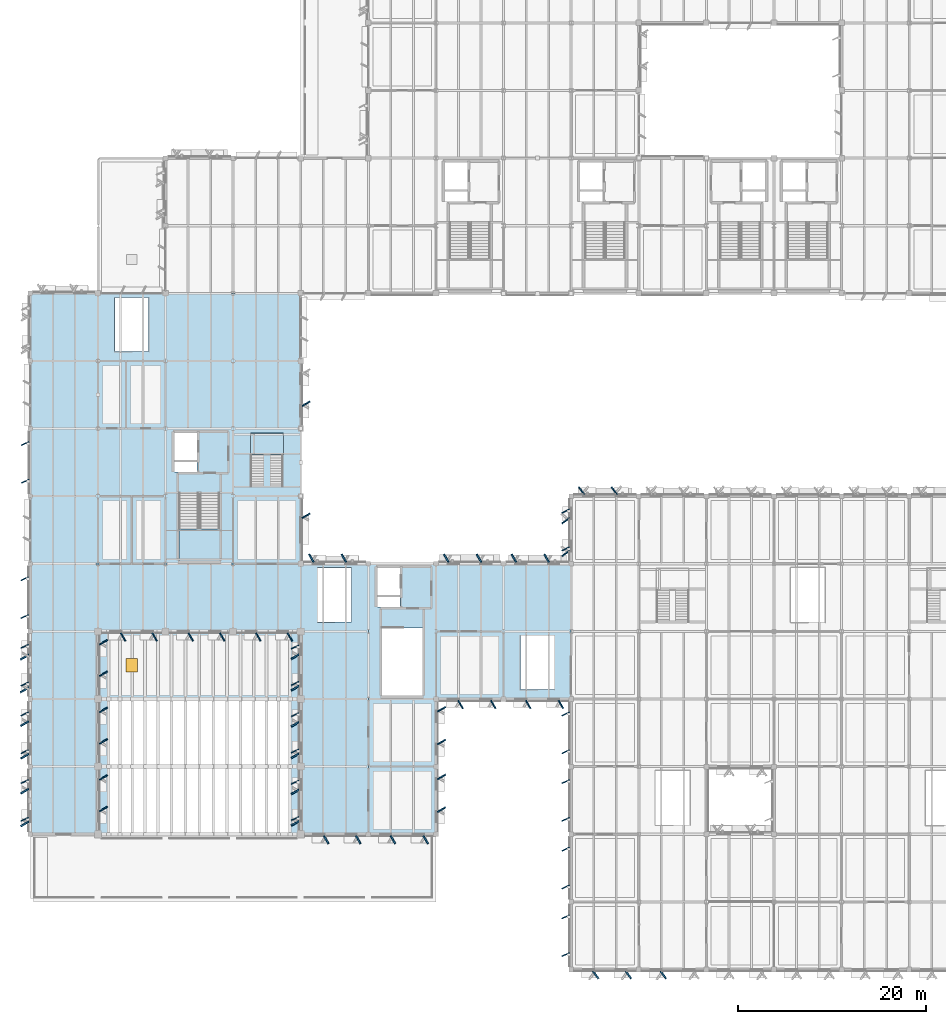
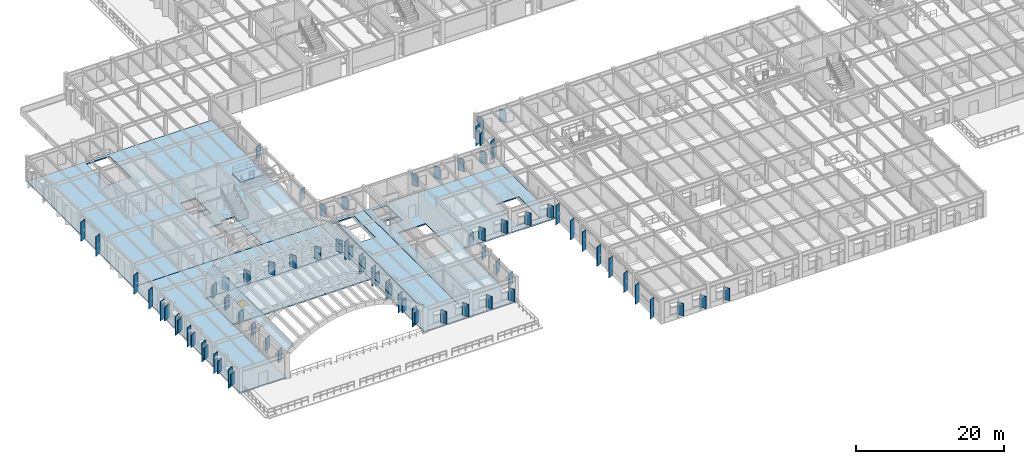
# One storey, part 24 of 85: 77 plates, 8 slabs, 1 door, 1 opening, 2 elements without a shape of their own.
"""IFC4 building model written with IfcOpenShell, lengths in metres."""

import ifcopenshell
import ifcopenshell.guid

model = None  # the IFC model being written
_history = None  # IfcOwnerHistory: only IFC2X3 demands one
_inside = {}  # id of a spatial element -> (the spatial element, [elements in it])
_under = {}  # id of a project, library or spatial element -> (it, [spatial elements below it])
_declared = {}  # id of a project -> (the project, [libraries it declares])
_typed = {}  # id of a type object -> (the type object, [elements of that type])
_made_of = {}  # id of a material, layer set ... -> (it, [elements and type objects made of it])


def new_model(schema):
    """Start an empty IFC model of exactly this schema.

    Asked for "IFC4X3", IfcOpenShell would pick the latest addendum, in which some entities
    have other attributes; the version numbers below select the first issue.
    IFC2X3 requires an IfcOwnerHistory on every rooted entity: one is made here for all.
    """
    global model, _history
    if schema == "IFC4X3":
        model = ifcopenshell.file(schema_version=(4, 3, 0, 0))
    else:
        model = ifcopenshell.file(schema=schema)
    _inside.clear()
    _under.clear()
    _declared.clear()
    _typed.clear()
    _made_of.clear()
    _history = None
    if model.schema == "IFC2X3":
        org = make("IfcOrganization", Name="unknown")
        user = make(
            "IfcPersonAndOrganization",
            ThePerson=make("IfcPerson", FamilyName="unknown"),
            TheOrganization=org,
        )
        app = make(
            "IfcApplication",
            ApplicationDeveloper=org,
            Version="unknown",
            ApplicationFullName="unknown",
            ApplicationIdentifier="unknown",
        )
        _history = make(
            "IfcOwnerHistory",
            OwningUser=user,
            OwningApplication=app,
            ChangeAction="ADDED",
            CreationDate=0,
        )
    return model


def make(cls, **values):
    """One entity of the class cls with the attributes given. An attribute that is None is left unset."""
    return model.create_entity(
        cls, **{name: value for name, value in values.items() if value is not None}
    )


def rooted(cls, **values):
    """An entity with a GlobalId (a new one), such as an element, a storey or a relation."""
    return make(cls, GlobalId=ifcopenshell.guid.new(), OwnerHistory=_history, **values)


def si_unit(unit_type, name, prefix=None):
    """IfcSIUnit, for example si_unit("LENGTHUNIT", "METRE", prefix="MILLI")."""
    return make("IfcSIUnit", UnitType=unit_type, Prefix=prefix, Name=name)


def assignment(units):
    """IfcUnitAssignment: the units of a project."""
    return None if units is None else make("IfcUnitAssignment", Units=units)


def point(xyz):
    """IfcCartesianPoint."""
    return None if xyz is None else make("IfcCartesianPoint", Coordinates=xyz)


def direction(xyz):
    """IfcDirection."""
    return None if xyz is None else make("IfcDirection", DirectionRatios=xyz)


def frame(location, z_axis=None, x_axis=None):
    """IfcAxis2Placement3D, a coordinate frame: its origin and axes. An axis left out is left unset."""
    return make(
        "IfcAxis2Placement3D",
        Location=point(location),
        Axis=direction(z_axis),
        RefDirection=direction(x_axis),
    )


def frame_2d(location, x_axis=None):
    """IfcAxis2Placement2D, a coordinate frame in the plane: its origin and x axis."""
    return make(
        "IfcAxis2Placement2D", Location=point(location), RefDirection=direction(x_axis)
    )


def origin():
    """The frame at (0, 0, 0) with its axes left unset."""
    return frame((0.0, 0.0, 0.0))


def origin_2d():
    """The frame at (0, 0) in the plane with its x axis left unset."""
    return frame_2d((0.0, 0.0))


def place(relative_to, where):
    """IfcLocalPlacement: puts the frame where relative to a parent placement (None: the world)."""
    return make(
        "IfcLocalPlacement", PlacementRelTo=relative_to, RelativePlacement=where
    )


def context(
    kind, dimensions, precision=None, world=None, true_north=None, identifier=None
):
    """IfcGeometricRepresentationContext, for example the 3D "Model" context."""
    return make(
        "IfcGeometricRepresentationContext",
        ContextIdentifier=identifier,
        ContextType=kind,
        CoordinateSpaceDimension=dimensions,
        Precision=precision,
        WorldCoordinateSystem=world,
        TrueNorth=true_north,
    )


def subcontext(parent, identifier, kind, view, scale=None):
    """IfcGeometricRepresentationSubContext, for example "Body" below "Model"."""
    return make(
        "IfcGeometricRepresentationSubContext",
        ContextIdentifier=identifier,
        ContextType=kind,
        ParentContext=parent,
        TargetScale=scale,
        TargetView=view,
    )


def project(units=None, contexts=None):
    """IfcProject with its units and contexts."""
    return rooted(
        "IfcProject",
        Name="project",
        RepresentationContexts=contexts,
        UnitsInContext=assignment(units),
    )


def spatial(cls, under=None, at=None, **own):
    """A site, building, storey or space (cls), placed at a placement, below another one or the project."""
    s = rooted(cls, ObjectPlacement=at, **own)
    if under is not None:
        _under.setdefault(under.id(), (under, []))[1].append(s)
    return s


def polyline(points):
    """IfcPolyline through the points."""
    return make("IfcPolyline", Points=[point(p) for p in points])


def profile(cls, at=None, kind="AREA", **sizes):
    """A parametric profile (cls). Its sizes go by their IFC names, for example OverallWidth=200.0."""
    return make(cls, ProfileType=kind, Position=at, **sizes)


def rectangle(**sizes):
    """IfcRectangleProfileDef."""
    return profile("IfcRectangleProfileDef", **sizes)


def outline(outer, holes=None, kind="AREA"):
    """IfcArbitraryClosedProfileDef: a profile drawn as a closed curve; with holes, ...WithVoids."""
    if holes is None:
        return make("IfcArbitraryClosedProfileDef", ProfileType=kind, OuterCurve=outer)
    return make(
        "IfcArbitraryProfileDefWithVoids",
        ProfileType=kind,
        OuterCurve=outer,
        InnerCurves=holes,
    )


def extrude(swept, where, along, depth):
    """IfcExtrudedAreaSolid: the profile swept, set in the frame where, extruded along a direction by depth."""
    return make(
        "IfcExtrudedAreaSolid",
        SweptArea=swept,
        Position=where,
        ExtrudedDirection=direction(along),
        Depth=depth,
    )


def shape(context_of_items, identifier, shape_type, items):
    """IfcShapeRepresentation: the items that make up one representation, for example the "Body"."""
    return make(
        "IfcShapeRepresentation",
        ContextOfItems=context_of_items,
        RepresentationIdentifier=identifier,
        RepresentationType=shape_type,
        Items=items,
    )


def material(Name=None, Category=None):
    """IfcMaterial."""
    return make("IfcMaterial", Name=Name, Category=Category)


def layer(
    of_material, thickness, ventilated=None, Name=None, Category=None, Priority=None
):
    """IfcMaterialLayer: one layer of a wall or slab, of a material (None: an air gap)."""
    return make(
        "IfcMaterialLayer",
        Material=of_material,
        LayerThickness=thickness,
        IsVentilated=ventilated,
        Name=Name,
        Category=Category,
        Priority=Priority,
    )


def layer_set(layers, Name=None):
    """IfcMaterialLayerSet."""
    return make("IfcMaterialLayerSet", MaterialLayers=layers, LayerSetName=Name)


def made_of(thing, what):
    """Note that an element or type object is made of a material, layer set ...; save() writes the relation."""
    if what is not None:
        _made_of.setdefault(what.id(), (what, []))[1].append(thing)
    return thing


def type_object(cls, material=None, **own):
    """A type object (cls), such as IfcWallType, which elements share."""
    return made_of(rooted(cls, **own), material)


def element(
    cls,
    number,
    at=None,
    inside=None,
    cuts=None,
    type_object=None,
    material=None,
    context=None,
    identifier="Body",
    shape_type=None,
    held_by="IfcProductDefinitionShape",
    body=None,
    shapes=None,
    **own,
):
    """One element of the class cls, such as IfcWall. Its Tag is "e" and its number.

    at: its placement. inside: the storey or other place that contains it. cuts: it is an
    opening in that element (IfcRelVoidsElement). A single representation is given by context,
    identifier, shape_type and body (its items); several are given by shapes. held_by: the class
    of the entity that holds the representations. save() writes the other relations.
    """
    e = rooted(cls, Tag="e%d" % number, ObjectPlacement=at, **own)
    if body is not None:
        shapes = [shape(context, identifier, shape_type, body)]
    if shapes is not None:
        e.Representation = make(held_by, Representations=shapes)
    if inside is not None:
        _inside.setdefault(inside.id(), (inside, []))[1].append(e)
    if cuts is not None:
        rooted(
            "IfcRelVoidsElement", RelatingBuildingElement=cuts, RelatedOpeningElement=e
        )
    if type_object is not None:
        _typed.setdefault(type_object.id(), (type_object, []))[1].append(e)
    return made_of(e, material)


def fill(opening, filler):
    """IfcRelFillsElement: the door or window that sits in an opening."""
    return rooted(
        "IfcRelFillsElement",
        RelatingOpeningElement=opening,
        RelatedBuildingElement=filler,
    )


def aggregate(whole, parts):
    """IfcRelAggregates: a whole, such as a stair, and the parts it consists of."""
    return rooted("IfcRelAggregates", RelatingObject=whole, RelatedObjects=parts)


def save(model, path):
    """Write the relations noted so far, then the file.

    IfcRelAggregates (storeys below a building ...), IfcRelContainedInSpatialStructure (elements
    in a storey), IfcRelDefinesByType, IfcRelAssociatesMaterial and IfcRelDeclares: one each for
    every whole, place, type object, material and project.
    """
    for whole, parts in _under.values():
        aggregate(whole, parts)
    for where, things in _inside.values():
        rooted(
            "IfcRelContainedInSpatialStructure",
            RelatedElements=things,
            RelatingStructure=where,
        )
    for kind, things in _typed.values():
        rooted("IfcRelDefinesByType", RelatedObjects=things, RelatingType=kind)
    for what, things in _made_of.values():
        rooted("IfcRelAssociatesMaterial", RelatedObjects=things, RelatingMaterial=what)
    for by, libraries in _declared.values():
        rooted("IfcRelDeclares", RelatingContext=by, RelatedDefinitions=libraries)
    model.write(path)


model = new_model("IFC4")

# Units and contexts
model_context = context("Model", 3, precision=1e-05, world=origin(), true_north=direction((0.0, 1.0)))
body_context = subcontext(model_context, "Body", "Model", "MODEL_VIEW")
ifc_project = project(units=[si_unit("LENGTHUNIT", "METRE"), si_unit("AREAUNIT", "SQUARE_METRE"), si_unit("VOLUMEUNIT", "CUBIC_METRE"), si_unit("PLANEANGLEUNIT", "RADIAN"), si_unit("MASSUNIT", "GRAM", prefix="KILO")], contexts=[model_context])

# Site, building, storey
site_placement = place(None, origin())
site = spatial("IfcSite", under=ifc_project, at=site_placement, CompositionType="ELEMENT")
building_placement = place(site_placement, origin())
building = spatial("IfcBuilding", under=site, at=building_placement, Name="Sillqori Civic Hall", CompositionType="ELEMENT")
storey_placement = place(building_placement, frame((0.0, 0.0, 9.89990234375)))
storey = spatial("IfcBuildingStorey", under=building, at=storey_placement, Name="L03", CompositionType="ELEMENT", Elevation=9.89990234375)

# Plates
ifc_material_1 = material(Name="Precast concrete C40/50 (H40)", Category="concrete")
ifc_layer_1 = layer(ifc_material_1, 0.159912109375)
ifc_layer_set_1 = layer_set([ifc_layer_1], Name="Precast concrete C40/50 (H40)")
plate_type_1 = type_object("IfcPlateType", Name="FIN-WEST-350", PredefinedType="USERDEFINED", material=ifc_layer_set_1)
for number, where, z_axis, x_axis, name in (
    (1, (6.60498046875, 23.18994140625, 0.150146484375), (0.0, 0.0, 1.0), (-0.422618261741, 0.906307787037, 0.0), "L03 west brise-soleil fin L03-01-03-W.1"),
    (2, (6.60498046875, 27.2099609375, 0.150146484375), (0.0, 0.0, 1.0), (-0.422618261741, 0.906307787037, 0.0), "L03 west brise-soleil fin L03-01-03-W.2"),
    (3, (6.60498046875, 30.389892578125, 0.150146484375), (0.0, 0.0, 1.0), (-0.422618261741, 0.906307787037, 0.0), "L03 west brise-soleil fin L03-01-04-W.1"),
    (4, (6.60498046875, 34.409912109375, 0.150146484375), (0.0, 0.0, 1.0), (-0.422618261741, 0.906307787037, 0.0), "L03 west brise-soleil fin L03-01-04-W.2"),
    (5, (6.60498046875, 37.590087890625, 0.150146484375), (0.0, 0.0, 1.0), (-0.422618261741, 0.906307787037, 0.0), "L03 west brise-soleil fin L03-01-05-W.1"),
    (6, (6.60498046875, 41.610107421875, 0.150146484375), (0.0, 0.0, 1.0), (-0.422618261741, 0.906307787037, 0.0), "L03 west brise-soleil fin L03-01-05-W.2"),
    (7, (6.60498046875, 44.7900390625, 0.150146484375), (0.0, 0.0, 1.0), (-0.422618261741, 0.906307787037, 0.0), "L03 west brise-soleil fin L03-01-06-W.1"),
    (8, (6.60498046875, 48.81005859375, 0.150146484375), (0.0, 0.0, 1.0), (-0.422618261741, 0.906307787037, 0.0), "L03 west brise-soleil fin L03-01-06-W.2"),
):
    element("IfcPlate", number, at=place(storey_placement, frame(where, z_axis=z_axis, x_axis=x_axis)), inside=storey, type_object=plate_type_1, Name=name, ObjectType="SOLAR_FIN", PredefinedType="USERDEFINED", context=body_context, shape_type="SweptSolid", body=[
        extrude(rectangle(XDim=0.090087890625, YDim=0.8798828125, at=origin_2d()), origin(), (0.0, 0.0, 1.0), 3.1669921875),
    ])
for number, where, z_axis, x_axis, name in (
    (9, (6.64501953125, 59.18994140625, 0.150146484375), (0.0, 0.0, 1.0), (-0.422618261741, 0.906307787037, 0.0), "L03 west brise-soleil fin L03-01-08-W.1"),
    (10, (6.64501953125, 63.2099609375, 0.150146484375), (0.0, 0.0, 1.0), (-0.422618261741, 0.906307787037, 0.0), "L03 west brise-soleil fin L03-01-08-W.2"),
):
    element("IfcPlate", number, at=place(storey_placement, frame(where, z_axis=z_axis, x_axis=x_axis)), inside=storey, type_object=plate_type_1, Name=name, ObjectType="SOLAR_FIN", PredefinedType="USERDEFINED", context=body_context, shape_type="SweptSolid", body=[
        extrude(rectangle(XDim=0.090087890625, YDim=0.8798828125, at=origin_2d()), origin(), (0.0, 0.0, 1.0), 3.18701171875),
    ])
for number, where, z_axis, x_axis, name in (
    (11, (35.405029296875, 23.264892578125, 0.14990234375), (0.0, 0.0, 1.0), (-0.422618261741, 0.906307787037, 0.0), "L03 west brise-soleil fin L03-05-03-W.1"),
    (12, (35.405029296875, 27.135009765625, 0.14990234375), (0.0, 0.0, 1.0), (-0.422618261741, 0.906307787037, 0.0), "L03 west brise-soleil fin L03-05-03-W.2"),
    (13, (35.405029296875, 30.465087890625, 0.14990234375), (0.0, 0.0, 1.0), (-0.422618261741, 0.906307787037, 0.0), "L03 west brise-soleil fin L03-05-04-W.1"),
    (14, (35.405029296875, 34.3349609375, 0.14990234375), (0.0, 0.0, 1.0), (-0.422618261741, 0.906307787037, 0.0), "L03 west brise-soleil fin L03-05-04-W.2"),
    (15, (35.405029296875, 37.6650390625, 0.14990234375), (0.0, 0.0, 1.0), (-0.422618261741, 0.906307787037, 0.0), "L03 west brise-soleil fin L03-05-05-W.1"),
    (16, (35.405029296875, 41.534912109375, 0.14990234375), (0.0, 0.0, 1.0), (-0.422618261741, 0.906307787037, 0.0), "L03 west brise-soleil fin L03-05-05-W.2"),
):
    element("IfcPlate", number, at=place(storey_placement, frame(where, z_axis=z_axis, x_axis=x_axis)), inside=storey, type_object=plate_type_1, Name=name, ObjectType="SOLAR_FIN", PredefinedType="USERDEFINED", context=body_context, shape_type="SweptSolid", body=[
        extrude(rectangle(XDim=0.090087890625, YDim=0.8798828125, at=origin_2d()), origin(), (0.0, 0.0, 1.0), 3.050048828125),
    ])
for number, where, z_axis, x_axis, name in (
    (17, (64.215087890625, 8.7900390625, 0.150146484375), (0.0, 0.0, 1.0), (-0.422618261741, 0.906307787037, 0.0), "L03 west brise-soleil fin L03-09-01-W.1"),
    (18, (64.215087890625, 12.81005859375, 0.150146484375), (0.0, 0.0, 1.0), (-0.422618261741, 0.906307787037, 0.0), "L03 west brise-soleil fin L03-09-01-W.2"),
    (19, (64.215087890625, 15.989990234375, 0.150146484375), (0.0, 0.0, 1.0), (-0.422618261741, 0.906307787037, 0.0), "L03 west brise-soleil fin L03-09-02-W.1"),
    (20, (64.215087890625, 20.010009765625, 0.150146484375), (0.0, 0.0, 1.0), (-0.422618261741, 0.906307787037, 0.0), "L03 west brise-soleil fin L03-09-02-W.2"),
    (21, (64.215087890625, 23.18994140625, 0.150146484375), (0.0, 0.0, 1.0), (-0.422618261741, 0.906307787037, 0.0), "L03 west brise-soleil fin L03-09-03-W.1"),
    (22, (64.215087890625, 27.2099609375, 0.150146484375), (0.0, 0.0, 1.0), (-0.422618261741, 0.906307787037, 0.0), "L03 west brise-soleil fin L03-09-03-W.2"),
    (23, (64.215087890625, 30.389892578125, 0.150146484375), (0.0, 0.0, 1.0), (-0.422618261741, 0.906307787037, 0.0), "L03 west brise-soleil fin L03-09-04-W.1"),
    (24, (64.215087890625, 34.409912109375, 0.150146484375), (0.0, 0.0, 1.0), (-0.422618261741, 0.906307787037, 0.0), "L03 west brise-soleil fin L03-09-04-W.2"),
    (25, (64.215087890625, 51.989990234375, 0.150146484375), (0.0, 0.0, 1.0), (-0.422618261741, 0.906307787037, 0.0), "L03 west brise-soleil fin L03-09-07-W.1"),
    (26, (64.215087890625, 56.010009765625, 0.150146484375), (0.0, 0.0, 1.0), (-0.422618261741, 0.906307787037, 0.0), "L03 west brise-soleil fin L03-09-07-W.2"),
):
    element("IfcPlate", number, at=place(storey_placement, frame(where, z_axis=z_axis, x_axis=x_axis)), inside=storey, type_object=plate_type_1, Name=name, ObjectType="SOLAR_FIN", PredefinedType="USERDEFINED", context=body_context, shape_type="SweptSolid", body=[
        extrude(rectangle(XDim=0.090087890625, YDim=0.8798828125, at=origin_2d()), origin(), (0.0, 0.0, 1.0), 3.18701171875),
    ])
ifc_layer_2 = layer(ifc_material_1, 0.159912109375)
ifc_layer_set_2 = layer_set([ifc_layer_2], Name="Precast concrete C40/50 (H40)")
plate_type_2 = type_object("IfcPlateType", Name="REV-SAW-200", PredefinedType="USERDEFINED", material=ifc_layer_set_2)
for number, where, z_axis, x_axis, name in (
    (27, (6.610107421875, 22.697998046875, 0.800048828125), (0.0, 0.0, 1.0), (-0.5, 0.866025403784, 0.0), "Sawtooth stone window reveal L03-01-03-W.1"),
    (28, (6.610107421875, 26.181884765625, 0.800048828125), (0.0, 0.0, 1.0), (-0.5, 0.866025403784, 0.0), "Sawtooth stone window reveal L03-01-03-W.2"),
    (29, (14.989990234375, 27.636962890625, 0.800048828125), (0.0, 0.0, 1.0), (0.5, -0.866025403784, 0.0), "Sawtooth stone window reveal L03-01-03-E.1"),
    (30, (14.989990234375, 24.282958984375, 0.800048828125), (0.0, 0.0, 1.0), (0.5, -0.866025403784, 0.0), "Sawtooth stone window reveal L03-01-03-E.2"),
    (31, (6.610107421875, 29.89794921875, 0.800048828125), (0.0, 0.0, 1.0), (-0.5, 0.866025403784, 0.0), "Sawtooth stone window reveal L03-01-04-W.1"),
    (32, (6.610107421875, 33.382080078125, 0.800048828125), (0.0, 0.0, 1.0), (-0.5, 0.866025403784, 0.0), "Sawtooth stone window reveal L03-01-04-W.2"),
    (33, (14.989990234375, 34.8369140625, 0.800048828125), (0.0, 0.0, 1.0), (0.5, -0.866025403784, 0.0), "Sawtooth stone window reveal L03-01-04-E.1"),
    (34, (14.989990234375, 31.48291015625, 0.800048828125), (0.0, 0.0, 1.0), (0.5, -0.866025403784, 0.0), "Sawtooth stone window reveal L03-01-04-E.2"),
    (35, (14.989990234375, 42.037109375, 0.800048828125), (0.0, 0.0, 1.0), (0.5, -0.866025403784, 0.0), "Sawtooth stone window reveal L03-01-05-E.1"),
    (36, (14.989990234375, 38.68310546875, 0.800048828125), (0.0, 0.0, 1.0), (0.5, -0.866025403784, 0.0), "Sawtooth stone window reveal L03-01-05-E.2"),
    (37, (20.43701171875, 42.610107421875, 0.800048828125), (0.0, 0.0, 1.0), (-0.866025403784, -0.5, 0.0), "Sawtooth stone window reveal L03-02-06-S.1"),
    (38, (17.0830078125, 42.610107421875, 0.800048828125), (0.0, 0.0, 1.0), (-0.866025403784, -0.5, 0.0), "Sawtooth stone window reveal L03-02-06-S.2"),
    (39, (27.636962890625, 42.610107421875, 0.800048828125), (0.0, 0.0, 1.0), (-0.866025403784, -0.5, 0.0), "Sawtooth stone window reveal L03-03-06-S.1"),
    (40, (24.282958984375, 42.610107421875, 0.800048828125), (0.0, 0.0, 1.0), (-0.866025403784, -0.5, 0.0), "Sawtooth stone window reveal L03-03-06-S.2"),
    (41, (34.8369140625, 42.610107421875, 0.800048828125), (0.0, 0.0, 1.0), (-0.866025403784, -0.5, 0.0), "Sawtooth stone window reveal L03-04-06-S.1"),
    (42, (31.48291015625, 42.610107421875, 0.800048828125), (0.0, 0.0, 1.0), (-0.866025403784, -0.5, 0.0), "Sawtooth stone window reveal L03-04-06-S.2"),
    (43, (36.550048828125, 55.510009765625, 0.85009765625), (0.0, 0.0, 1.0), (0.5, -0.866025403784, 0.0), "Sawtooth stone window reveal L03-04-07-E.1"),
    (44, (36.550048828125, 67.444091796875, 0.800048828125), (0.0, 0.0, 1.0), (0.5, -0.866025403784, 0.0), "Sawtooth stone window reveal L03-04-09-E.2"),
    (45, (42.132080078125, 21.010009765625, 0.800048828125), (0.0, 0.0, 1.0), (-0.866025403784, -0.5, 0.0), "Sawtooth stone window reveal L03-05-03-S.1"),
    (46, (38.712890625, 21.010009765625, 0.800048828125), (0.0, 0.0, 1.0), (-0.866025403784, -0.5, 0.0), "Sawtooth stone window reveal L03-05-03-S.2"),
    (47, (35.409912109375, 22.762939453125, 0.800048828125), (0.0, 0.0, 1.0), (-0.5, 0.866025403784, 0.0), "Sawtooth stone window reveal L03-05-03-W.1"),
    (48, (35.409912109375, 26.116943359375, 0.800048828125), (0.0, 0.0, 1.0), (-0.5, 0.866025403784, 0.0), "Sawtooth stone window reveal L03-05-03-W.2"),
    (49, (35.409912109375, 29.962890625, 0.800048828125), (0.0, 0.0, 1.0), (-0.5, 0.866025403784, 0.0), "Sawtooth stone window reveal L03-05-04-W.1"),
    (50, (35.409912109375, 33.31689453125, 0.800048828125), (0.0, 0.0, 1.0), (-0.5, 0.866025403784, 0.0), "Sawtooth stone window reveal L03-05-04-W.2"),
    (51, (35.409912109375, 37.1630859375, 0.800048828125), (0.0, 0.0, 1.0), (-0.5, 0.866025403784, 0.0), "Sawtooth stone window reveal L03-05-05-W.1"),
    (52, (35.409912109375, 40.51708984375, 0.800048828125), (0.0, 0.0, 1.0), (-0.5, 0.866025403784, 0.0), "Sawtooth stone window reveal L03-05-05-W.2"),
    (53, (37.135986328125, 50.989990234375, 0.800048828125), (0.0, 0.0, 1.0), (0.866025403784, 0.5, 0.0), "Sawtooth stone window reveal L03-05-06-N.1"),
    (54, (40.593994140625, 50.989990234375, 0.800048828125), (0.0, 0.0, 1.0), (0.866025403784, 0.5, 0.0), "Sawtooth stone window reveal L03-05-06-N.2"),
    (55, (49.302001953125, 21.010009765625, 0.800048828125), (0.0, 0.0, 1.0), (-0.866025403784, -0.5, 0.0), "Sawtooth stone window reveal L03-06-03-S.1"),
    (56, (45.818115234375, 21.010009765625, 0.800048828125), (0.0, 0.0, 1.0), (-0.866025403784, -0.5, 0.0), "Sawtooth stone window reveal L03-06-03-S.2"),
    (57, (50.989990234375, 27.701904296875, 0.800048828125), (0.0, 0.0, 1.0), (0.5, -0.866025403784, 0.0), "Sawtooth stone window reveal L03-06-03-E.1"),
    (58, (50.989990234375, 24.218017578125, 0.800048828125), (0.0, 0.0, 1.0), (0.5, -0.866025403784, 0.0), "Sawtooth stone window reveal L03-06-03-E.2"),
    (59, (50.989990234375, 34.902099609375, 0.800048828125), (0.0, 0.0, 1.0), (0.5, -0.866025403784, 0.0), "Sawtooth stone window reveal L03-06-04-E.1"),
    (60, (50.989990234375, 31.41796875, 0.800048828125), (0.0, 0.0, 1.0), (0.5, -0.866025403784, 0.0), "Sawtooth stone window reveal L03-06-04-E.2"),
    (61, (56.501953125, 35.409912109375, 0.800048828125), (0.0, 0.0, 1.0), (-0.866025403784, -0.5, 0.0), "Sawtooth stone window reveal L03-07-05-S.1"),
    (62, (53.01806640625, 35.409912109375, 0.800048828125), (0.0, 0.0, 1.0), (-0.866025403784, -0.5, 0.0), "Sawtooth stone window reveal L03-07-05-S.2"),
    (63, (51.498046875, 50.989990234375, 0.800048828125), (0.0, 0.0, 1.0), (0.866025403784, 0.5, 0.0), "Sawtooth stone window reveal L03-07-06-N.1"),
    (64, (54.98193359375, 50.989990234375, 0.800048828125), (0.0, 0.0, 1.0), (0.866025403784, 0.5, 0.0), "Sawtooth stone window reveal L03-07-06-N.2"),
    (65, (63.701904296875, 35.409912109375, 0.800048828125), (0.0, 0.0, 1.0), (-0.866025403784, -0.5, 0.0), "Sawtooth stone window reveal L03-08-05-S.1"),
    (66, (60.218017578125, 35.409912109375, 0.800048828125), (0.0, 0.0, 1.0), (-0.866025403784, -0.5, 0.0), "Sawtooth stone window reveal L03-08-05-S.2"),
    (67, (58.697998046875, 50.989990234375, 0.800048828125), (0.0, 0.0, 1.0), (0.866025403784, 0.5, 0.0), "Sawtooth stone window reveal L03-08-06-N.1"),
    (68, (62.181884765625, 50.989990234375, 0.800048828125), (0.0, 0.0, 1.0), (0.866025403784, 0.5, 0.0), "Sawtooth stone window reveal L03-08-06-N.2"),
    (69, (70.902099609375, 6.6201171875, 0.800048828125), (0.0, 0.0, 1.0), (-0.809016994375, -0.587785252292, 0.0), "Sawtooth stone window reveal L03-09-01-S.1"),
    (70, (67.41796875, 6.6201171875, 0.800048828125), (0.0, 0.0, 1.0), (-0.809016994375, -0.587785252292, 0.0), "Sawtooth stone window reveal L03-09-01-S.2"),
    (71, (65.89794921875, 58.179931640625, 0.800048828125), (0.0, 0.0, 1.0), (0.809016994375, 0.587785252292, 0.0), "Sawtooth stone window reveal L03-09-07-N.1"),
    (72, (69.382080078125, 58.179931640625, 0.800048828125), (0.0, 0.0, 1.0), (0.809016994375, 0.587785252292, 0.0), "Sawtooth stone window reveal L03-09-07-N.2"),
    (73, (64.219970703125, 51.498046875, 0.800048828125), (0.0, 0.0, 1.0), (-0.587785252292, 0.809016994375, 0.0), "Sawtooth stone window reveal L03-09-07-W.1"),
    (74, (64.219970703125, 54.98193359375, 0.800048828125), (0.0, 0.0, 1.0), (-0.587785252292, 0.809016994375, 0.0), "Sawtooth stone window reveal L03-09-07-W.2"),
    (75, (74.617919921875, 6.6201171875, 0.800048828125), (0.0, 0.0, 1.0), (-0.809016994375, -0.587785252292, 0.0), "Sawtooth stone window reveal L03-10-01-S.2"),
):
    element("IfcPlate", number, at=place(storey_placement, frame(where, z_axis=z_axis, x_axis=x_axis)), inside=storey, type_object=plate_type_2, Name=name, ObjectType="REVEAL_PANEL", PredefinedType="USERDEFINED", context=body_context, shape_type="SweptSolid", body=[
        extrude(rectangle(XDim=0.159912109375, YDim=0.97998046875, at=origin_2d()), origin(), (0.0, 0.0, 1.0), 2.0),
    ])
ifc_layer_3 = layer(ifc_material_1, 0.159912109375)
ifc_layer_set_3 = layer_set([ifc_layer_3], Name="Precast concrete C40/50 (H40)")
plate_type_3 = type_object("IfcPlateType", Name="REV-SAW-220", PredefinedType="USERDEFINED", material=ifc_layer_set_3)
for number, where, z_axis, x_axis, name in (
    (76, (6.610107421875, 36.972900390625, 0.92529296875), (0.0, 0.0, 1.0), (-0.5, 0.866025403784, 0.0), "Sawtooth stone window reveal L03-01-05-W.1"),
    (77, (6.610107421875, 40.45703125, 0.92529296875), (0.0, 0.0, 1.0), (-0.5, 0.866025403784, 0.0), "Sawtooth stone window reveal L03-01-05-W.2"),
):
    element("IfcPlate", number, at=place(storey_placement, frame(where, z_axis=z_axis, x_axis=x_axis)), inside=storey, type_object=plate_type_3, Name=name, ObjectType="REVEAL_PANEL", PredefinedType="USERDEFINED", context=body_context, shape_type="SweptSolid", body=[
        extrude(rectangle(XDim=0.159912109375, YDim=1.080078125, at=origin_2d()), origin(), (0.0, 0.0, 1.0), 2.199951171875),
    ])

# Slabs
ifc_material_2 = material(Name="Concrete C30/37 (H30)", Category="concrete")
ifc_layer_4 = layer(ifc_material_2, 0.199951171875)
ifc_layer_set_4 = layer_set([ifc_layer_4], Name="Concrete C30/37 (H30)")
slab_type_1 = type_object("IfcSlabType", Name="SLB-FLR-200", PredefinedType="FLOOR", material=ifc_layer_set_4)
slab_1_placement = place(storey_placement, frame((0.0, 0.0, -0.199951171875)))
element("IfcSlab", 78, at=slab_1_placement, inside=storey, type_object=slab_type_1, Name="L03 V1 composite floor slab 0.1", PredefinedType="FLOOR", context=body_context, shape_type="SweptSolid", body=[
    extrude(outline(polyline([(7.199951171875, 36.0), (7.199951171875, 43.199951171875), (7.199951171875, 50.39990234375), (14.39990234375, 50.39990234375), (21.60009765625, 50.39990234375), (28.800048828125, 50.39990234375), (36.0, 50.39990234375), (43.199951171875, 50.39990234375), (43.199951171875, 43.199951171875), (43.199951171875, 36.0), (43.199951171875, 28.800048828125), (43.199951171875, 21.60009765625), (36.0, 21.60009765625), (36.0, 28.800048828125), (36.0, 36.0), (36.0, 43.199951171875), (28.800048828125, 43.199951171875), (21.60009765625, 43.199951171875), (14.39990234375, 43.199951171875), (14.39990234375, 36.0), (14.39990234375, 28.800048828125), (14.39990234375, 21.60009765625), (7.199951171875, 21.60009765625), (7.199951171875, 28.800048828125), (7.199951171875, 36.0)]), holes=[polyline([(41.39990234375, 44.199951171875), (41.39990234375, 49.949951171875), (37.800048828125, 49.949951171875), (37.800048828125, 44.199951171875), (41.39990234375, 44.199951171875)])]), origin(), (0.0, 0.0, 1.0), 0.199951171875),
])
slab_2_placement = place(storey_placement, frame((0.0, 0.0, -0.199951171875)))
element("IfcSlab", 79, at=slab_2_placement, inside=storey, type_object=slab_type_1, Name="L03 V1 composite floor slab 1.1", PredefinedType="FLOOR", context=body_context, shape_type="SweptSolid", body=[
    extrude(outline(polyline([(43.199951171875, 36.0), (43.199951171875, 43.199951171875), (43.199951171875, 50.39990234375), (50.39990234375, 50.39990234375), (57.60009765625, 50.39990234375), (64.800048828125, 50.39990234375), (64.800048828125, 43.199951171875), (64.800048828125, 36.0), (57.60009765625, 36.0), (50.39990234375, 36.0), (50.39990234375, 28.800048828125), (50.39990234375, 21.60009765625), (43.199951171875, 21.60009765625), (43.199951171875, 28.800048828125), (43.199951171875, 36.0)]), holes=[polyline([(63.0, 37.0), (63.0, 42.75), (59.39990234375, 42.75), (59.39990234375, 37.0), (63.0, 37.0)]), polyline([(48.93994140625, 36.35009765625), (48.93994140625, 43.570068359375), (44.659912109375, 43.570068359375), (44.659912109375, 36.35009765625), (48.93994140625, 36.35009765625)]), polyline([(46.550048828125, 45.800048828125), (46.550048828125, 46.89990234375), (44.14990234375, 46.89990234375), (44.14990234375, 45.800048828125), (46.550048828125, 45.800048828125)]), polyline([(46.550048828125, 47.050048828125), (46.550048828125, 49.949951171875), (44.14990234375, 49.949951171875), (44.14990234375, 47.050048828125), (46.550048828125, 47.050048828125)])]), origin(), (0.0, 0.0, 1.0), 0.199951171875),
])
slab_3_placement = place(storey_placement, frame((0.0, 0.0, -0.199951171875)))
element("IfcSlab", 80, at=slab_3_placement, inside=storey, type_object=slab_type_1, Name="L03 V5 composite floor slab 0.1", PredefinedType="FLOOR", context=body_context, shape_type="SweptSolid", body=[
    extrude(outline(polyline([(7.199951171875, 79.199951171875), (14.39990234375, 79.199951171875), (21.60009765625, 79.199951171875), (28.800048828125, 79.199951171875), (36.0, 79.199951171875), (36.0, 72.0), (36.0, 64.800048828125), (36.0, 57.60009765625), (36.0, 50.39990234375), (28.800048828125, 50.39990234375), (21.60009765625, 50.39990234375), (14.39990234375, 50.39990234375), (7.199951171875, 50.39990234375), (7.199951171875, 57.60009765625), (7.199951171875, 64.800048828125), (7.199951171875, 72.0), (7.199951171875, 79.199951171875)]), holes=[polyline([(25.159912109375, 57.419921875), (23.06005859375, 57.419921875), (23.06005859375, 50.75), (27.340087890625, 50.75), (27.340087890625, 57.969970703125), (25.159912109375, 57.969970703125), (25.159912109375, 57.419921875)]), polyline([(24.949951171875, 60.199951171875), (24.949951171875, 61.300048828125), (22.550048828125, 61.300048828125), (22.550048828125, 60.199951171875), (24.949951171875, 60.199951171875)]), polyline([(24.949951171875, 61.449951171875), (24.949951171875, 64.35009765625), (22.550048828125, 64.35009765625), (22.550048828125, 61.449951171875), (24.949951171875, 61.449951171875)]), polyline([(19.800048828125, 73.0), (19.800048828125, 78.75), (16.199951171875, 78.75), (16.199951171875, 73.0), (19.800048828125, 73.0)])]), origin(), (0.0, 0.0, 1.0), 0.199951171875),
])

# Stair, slab
ifc_material_3 = material(Name="Concrete C35/45 (H35)", Category="concrete")
stair_type_1 = type_object("IfcStairType", Name="STR-CORE-04", PredefinedType="DOUBLE_RETURN_STAIR", material=ifc_material_3)
stair_1_placement = place(storey_placement, origin())
stair_1 = element("IfcStair", 81, at=stair_1_placement, inside=storey, type_object=stair_type_1, Name="L03 Core exit stair ST-04", PredefinedType="DOUBLE_RETURN_STAIR")
ifc_layer_5 = layer(ifc_material_3, 0.199951171875)
ifc_layer_set_5 = layer_set([ifc_layer_5], Name="Concrete C35/45 (H35)")
slab_type_2 = type_object("IfcSlabType", Name="SLB-LND-220", PredefinedType="LANDING", material=ifc_layer_set_5)
slab_4_placement = place(storey_placement, frame((0.0, 0.0, 1.900146484375)))
slab_4 = element("IfcSlab", 82, at=slab_4_placement, type_object=slab_type_2, Name="ST-04 landing 1", PredefinedType="LANDING", context=body_context, shape_type="SweptSolid", body=[
    extrude(outline(polyline([(23.02490234375, 54.1298828125), (23.02490234375, 50.715087890625), (27.375, 50.715087890625), (27.375, 54.1298828125), (23.02490234375, 54.1298828125)])), origin(), (0.0, 0.0, 1.0), 0.199951171875),
])
aggregate(stair_1, [slab_4])

ifc_material_4 = material(Name="Steel ASTM A992 and Honed Limestone Treads", Category="masonry")
stair_type_2 = type_object("IfcStairType", Name="STR-MON-420", PredefinedType="STRAIGHT_RUN_STAIR", material=ifc_material_4)
stair_2_placement = place(storey_placement, origin())
stair_2 = element("IfcStair", 83, at=stair_2_placement, inside=storey, type_object=stair_type_2, Name="Directorate Wing Stair L03-L04", PredefinedType="STRAIGHT_RUN_STAIR")
ifc_layer_6 = layer(ifc_material_3, 0.199951171875)
ifc_layer_set_6 = layer_set([ifc_layer_6], Name="Concrete C35/45 (H35)")
slab_type_3 = type_object("IfcSlabType", Name="SLB-MLND-200", PredefinedType="LANDING", material=ifc_layer_set_6)
slab_5_placement = place(storey_placement, frame((0.0, 0.0, 1.900146484375)))
slab_5 = element("IfcSlab", 84, at=slab_5_placement, type_object=slab_type_3, Name="MS-15 landing 1", PredefinedType="LANDING", context=body_context, shape_type="SweptSolid", body=[
    extrude(outline(polyline([(30.639892578125, 61.9599609375), (34.159912109375, 61.9599609375), (34.159912109375, 64.330078125), (30.639892578125, 64.330078125), (30.639892578125, 61.9599609375)])), origin(), (0.0, 0.0, 1.0), 0.199951171875),
])
aggregate(stair_2, [slab_5])

# Slab, opening, door
ifc_layer_7 = layer(ifc_material_2, 0.199951171875)
ifc_layer_set_7 = layer_set([ifc_layer_7], Name="Concrete C30/37 (H30)")
slab_type_4 = type_object("IfcSlabType", Name="SLB-ROOF-200", PredefinedType="ROOF", material=ifc_layer_set_7)
slab_6_placement = place(storey_placement, frame((0.0, 0.0, -0.199951171875)))
slab_6 = element("IfcSlab", 85, at=slab_6_placement, inside=storey, type_object=slab_type_4, Name="L03 flat structural roof over L02 2", PredefinedType="ROOF", context=body_context, shape_type="SweptSolid", body=[
    extrude(outline(polyline([(21.60009765625, 43.199951171875), (28.800048828125, 43.199951171875), (36.0, 43.199951171875), (36.0, 36.0), (28.800048828125, 36.0), (21.60009765625, 36.0), (14.39990234375, 36.0), (14.39990234375, 43.199951171875), (21.60009765625, 43.199951171875)]), holes=[polyline([(17.39990234375, 38.89990234375), (17.39990234375, 40.300048828125), (18.60009765625, 40.300048828125), (18.60009765625, 38.89990234375), (17.39990234375, 38.89990234375)])]), origin(), (0.0, 0.0, 1.0), 0.199951171875),
])
opening_placement = place(slab_6_placement, frame((18.0, 39.60009765625, 0.0)))
opening = element("IfcOpeningElement", 86, at=opening_placement, cuts=slab_6, Name="Opening TH-02", PredefinedType="OPENING", context=body_context, shape_type="SweptSolid", body=[
    extrude(rectangle(XDim=1.199951171875, YDim=1.39990234375, at=origin_2d()), frame((0.0, 0.0, -0.010009765625)), (0.0, 0.0, 1.0), 0.219970703125),
])
ifc_material_5 = material(Name="Galvanized Insulated Steel", Category="steel")
door_type = type_object("IfcDoorType", Name="TRP-ROOF-120X140", OperationType="NOTDEFINED", PredefinedType="TRAPDOOR", material=ifc_material_5)
door_placement = place(opening_placement, frame((0.0, 0.0, 0.14990234375)))
door = element("IfcDoor", 87, at=door_placement, inside=storey, type_object=door_type, Name="L03 maintenance roof access hatch 08", OperationType="SINGLE_SWING_LEFT", OverallHeight=1.39990234375, OverallWidth=1.199951171875, PredefinedType="TRAPDOOR", context=body_context, shape_type="SweptSolid", body=[
    extrude(rectangle(XDim=1.199951171875, YDim=1.39990234375, at=origin_2d()), origin(), (0.0, 0.0, 1.0), 0.050048828125),
])
fill(opening, door)

# Slabs
ifc_layer_8 = layer(ifc_material_3, 0.139892578125)
ifc_layer_set_8 = layer_set([ifc_layer_8], Name="Concrete C35/45 (H35)")
slab_type_5 = type_object("IfcSlabType", Name="SLB-VAULT-140", PredefinedType="ROOF", material=ifc_layer_set_8)
for number, where, z_axis, x_axis, name in (
    (88, (14.39990234375, 21.60009765625, 4.2001953125), (-0.64063808949, 0.0, 0.767842977629), (0.767842977629, 0.0, 0.64063808949), "Council Chamber barrel-vault shell chord 01"),
    (89, (34.8623046875, 21.60009765625, 5.1494140625), (0.64063808949, 0.0, 0.767842977629), (0.767842977629, 0.0, -0.64063808949), "Council Chamber barrel-vault shell chord 16"),
):
    element("IfcSlab", number, at=place(storey_placement, frame(where, z_axis=z_axis, x_axis=x_axis)), inside=storey, type_object=slab_type_5, Name=name, PredefinedType="ROOF", context=body_context, shape_type="SweptSolid", body=[
        extrude(outline(polyline([(0.0, 0.0), (1.4816770428929629, 0.0), (1.4816770428929629, 21.599853515625), (0.0, 21.599853515625), (0.0, 0.0)])), origin(), (0.0, 0.0, -1.0), 0.139892578125),
    ])

save(model, "model.ifc")
